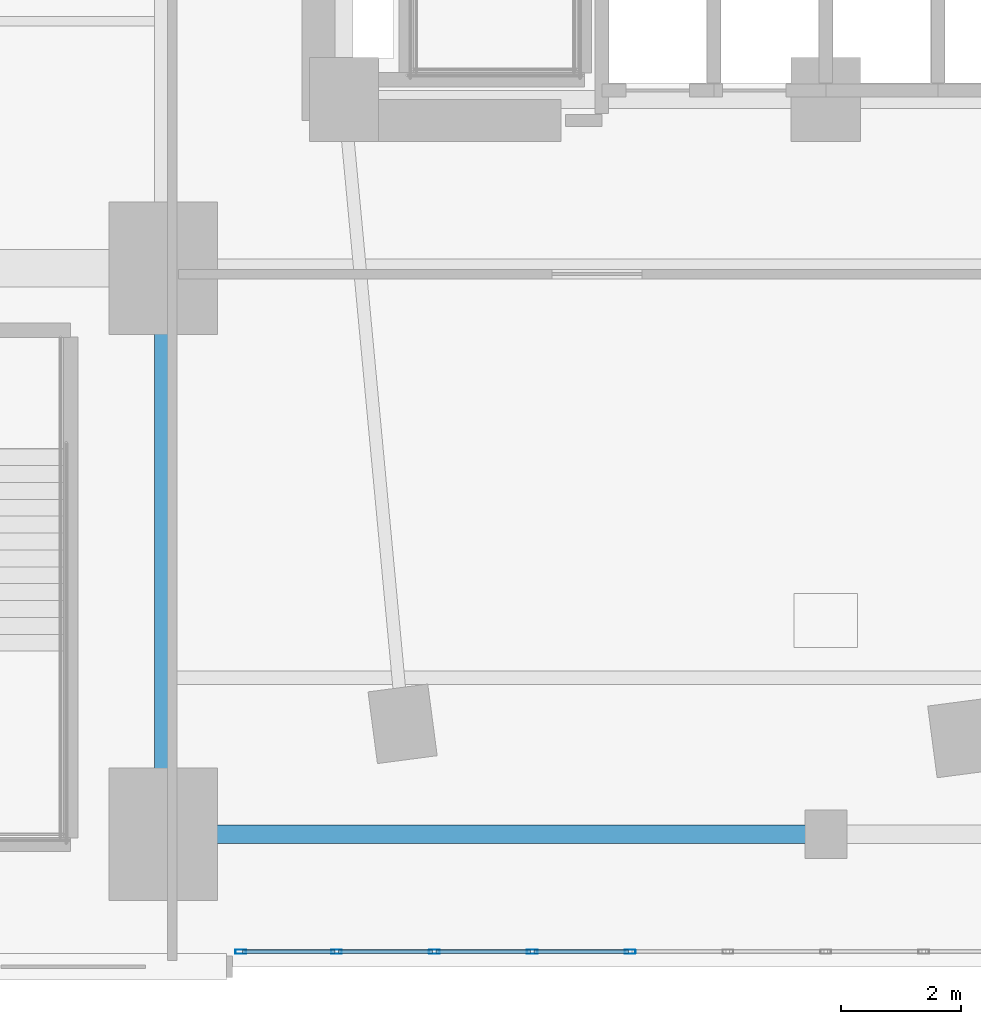
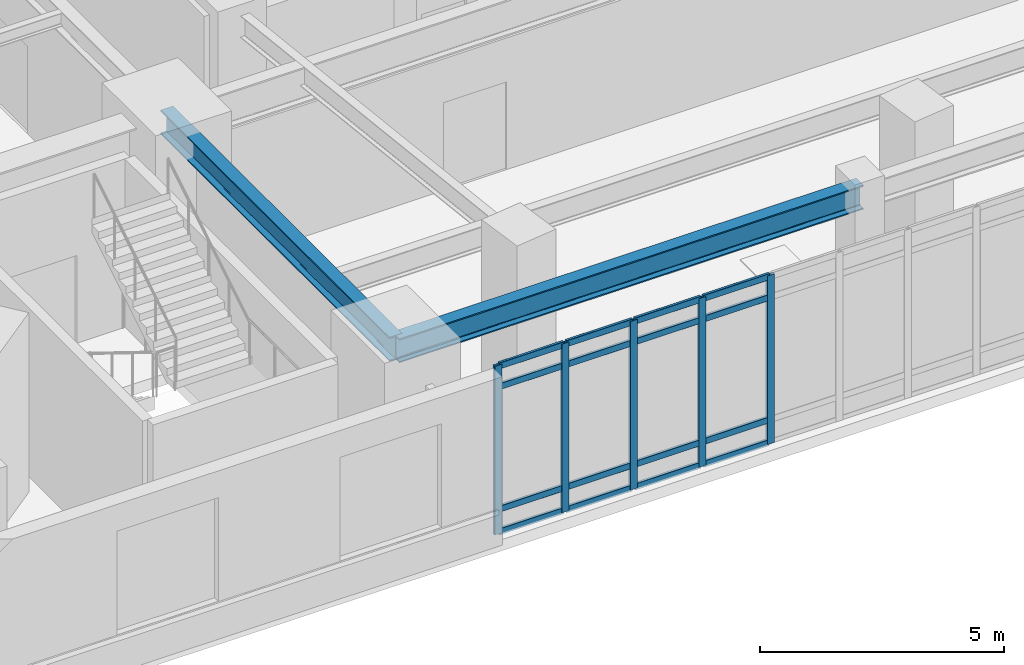
# One storey, part 2 of 19: 21 members, 2 beams, 1 element without a shape of its own.
"""IFC4 building model written with IfcOpenShell, lengths in metres."""

from ifc_helpers import new_model, si_unit, direction, frame, origin, origin_2d, place, context, subcontext, project, spatial, hollow_rectangle, i_section, extrude, material, layer, layer_set, material_profile, profile_set, type_object, element, aggregate, save


model = new_model("IFC4")

# Units and contexts
model_context = context("Model", 3, precision=1e-05, world=origin(), true_north=direction((0.0, 1.0)))
body_context = subcontext(model_context, "Body", "Model", "MODEL_VIEW")
ifc_project = project(units=[si_unit("LENGTHUNIT", "METRE"), si_unit("AREAUNIT", "SQUARE_METRE"), si_unit("VOLUMEUNIT", "CUBIC_METRE"), si_unit("PLANEANGLEUNIT", "RADIAN"), si_unit("MASSUNIT", "GRAM", prefix="KILO")], contexts=[model_context])

# Site, building, storey
site_placement = place(None, origin())
site = spatial("IfcSite", under=ifc_project, at=site_placement, CompositionType="ELEMENT")
building_placement = place(site_placement, origin())
building = spatial("IfcBuilding", under=site, at=building_placement, Name="Ndelora Gate Hotel", CompositionType="ELEMENT")
storey_placement = place(building_placement, frame((0.0, 0.0, 21.5)))
storey = spatial("IfcBuildingStorey", under=building, at=storey_placement, Name="L04", CompositionType="ELEMENT", Elevation=21.5)

# Beams
ifc_material_1 = material(Name="Steel S355", Category="steel")
ifc_material_profile_1 = material_profile(ifc_material_1, i_section(OverallWidth=0.300048828125, OverallDepth=0.60009765625, WebThickness=0.015380859375, FlangeThickness=0.030029296875, FilletRadius=0.027099609375, at=origin_2d()), Name="HEB 600")
ifc_profile_set_1 = profile_set([ifc_material_profile_1], Name="Steel S355")
beam_type = type_object("IfcBeamType", Name="BM-POD-600", PredefinedType="BEAM", material=ifc_profile_set_1)
beam_1_placement = place(storey_placement, frame((-11.0, -18.800048828125, 3.919921875), z_axis=(0.0, 1.0, 0.0), x_axis=(-1.0, 0.0, 0.0)))
element("IfcBeam", 1, at=beam_1_placement, inside=storey, type_object=beam_type, Name="L04 Podium Longitudinal Girder X=-11.0", PredefinedType="BEAM", context=body_context, shape_type="SweptSolid", body=[
    extrude(i_section(OverallWidth=0.300048828125, OverallDepth=0.60009765625, WebThickness=0.015380859375, FlangeThickness=0.030029296875, FilletRadius=0.027099609375, at=origin_2d()), origin(), (0.0, 0.0, 1.0), 9.400146484375),
])
beam_2_placement = place(storey_placement, frame((-11.0, -18.800048828125, 3.919921875), z_axis=(1.0, 0.0, 0.0), x_axis=(0.0, 1.0, 0.0)))
element("IfcBeam", 2, at=beam_2_placement, inside=storey, type_object=beam_type, Name="L04 Podium Transverse Girder Y=-18.8", PredefinedType="BEAM", context=body_context, shape_type="SweptSolid", body=[
    extrude(i_section(OverallWidth=0.300048828125, OverallDepth=0.60009765625, WebThickness=0.015380859375, FlangeThickness=0.030029296875, FilletRadius=0.027099609375, at=origin_2d()), origin(), (0.0, 0.0, 1.0), 11.0),
])

# Curtain wall, members
ifc_material_2 = material(Name="Bronze Anodised Unitised Aluminium and Low-E Glass", Category="aluminium")
ifc_layer = layer(ifc_material_2, 0.219970703125)
ifc_layer_set = layer_set([ifc_layer], Name="Bronze Anodised Unitised Aluminium and Low-E Glass")
curtain_wall_type = type_object("IfcCurtainWallType", Name="CW-SYS-2", PredefinedType="NOTDEFINED", material=ifc_layer_set)
curtain_wall_placement = place(storey_placement, origin())
curtain_wall = element("IfcCurtainWall", 3, at=curtain_wall_placement, inside=storey, type_object=curtain_wall_type, Name="L04 South Podium Foyer Curtain Wall CW2", PredefinedType="NOTDEFINED")
ifc_material_3 = material(Name="Bronze Anodised Aluminium 6063-T6", Category="aluminium")
ifc_material_profile_2 = material_profile(ifc_material_3, hollow_rectangle(XDim=0.070068359375, YDim=0.179931640625, WallThickness=0.0048828125, InnerFilletRadius=0.0048828125, OuterFilletRadius=0.010009765625, at=origin_2d()), Name="ALU 180x70x5")
ifc_profile_set_2 = profile_set([ifc_material_profile_2], Name="Bronze Anodised Aluminium 6063-T6")
member_type_1 = type_object("IfcMemberType", Name="MB-CW-MUL180", PredefinedType="MULLION", material=ifc_profile_set_2)
member_1_placement = place(storey_placement, frame((-9.715087890625, -20.75, -0.00390625), z_axis=(0.0, 0.0, 1.0), x_axis=(0.0, 1.0, 0.0)))
member_1 = element("IfcMember", 4, at=member_1_placement, type_object=member_type_1, Name="CW2 mullion 1", PredefinedType="MULLION", context=body_context, shape_type="SweptSolid", body=[
    extrude(hollow_rectangle(XDim=0.070068359375, YDim=0.179931640625, WallThickness=0.0048828125, InnerFilletRadius=0.0048828125, OuterFilletRadius=0.010009765625, at=origin_2d()), origin(), (0.0, 0.0, 1.0), 4.22802734375),
])
member_2_placement = place(storey_placement, frame((-8.125, -20.75, -0.00390625), z_axis=(0.0, 0.0, 1.0), x_axis=(0.0, 1.0, 0.0)))
member_2 = element("IfcMember", 5, at=member_2_placement, type_object=member_type_1, Name="CW2 mullion 2", PredefinedType="MULLION", context=body_context, shape_type="SweptSolid", body=[
    extrude(hollow_rectangle(XDim=0.070068359375, YDim=0.179931640625, WallThickness=0.0048828125, InnerFilletRadius=0.0048828125, OuterFilletRadius=0.010009765625, at=origin_2d()), origin(), (0.0, 0.0, 1.0), 4.22802734375),
])
member_3_placement = place(storey_placement, frame((-6.5, -20.75, -0.00390625), z_axis=(0.0, 0.0, 1.0), x_axis=(0.0, 1.0, 0.0)))
member_3 = element("IfcMember", 6, at=member_3_placement, type_object=member_type_1, Name="CW2 mullion 3", PredefinedType="MULLION", context=body_context, shape_type="SweptSolid", body=[
    extrude(hollow_rectangle(XDim=0.070068359375, YDim=0.179931640625, WallThickness=0.0048828125, InnerFilletRadius=0.0048828125, OuterFilletRadius=0.010009765625, at=origin_2d()), origin(), (0.0, 0.0, 1.0), 4.22802734375),
])
member_4_placement = place(storey_placement, frame((-4.875, -20.75, -0.00390625), z_axis=(0.0, 0.0, 1.0), x_axis=(0.0, 1.0, 0.0)))
member_4 = element("IfcMember", 7, at=member_4_placement, type_object=member_type_1, Name="CW2 mullion 4", PredefinedType="MULLION", context=body_context, shape_type="SweptSolid", body=[
    extrude(hollow_rectangle(XDim=0.070068359375, YDim=0.179931640625, WallThickness=0.0048828125, InnerFilletRadius=0.0048828125, OuterFilletRadius=0.010009765625, at=origin_2d()), origin(), (0.0, 0.0, 1.0), 4.22802734375),
])
member_5_placement = place(storey_placement, frame((-3.25, -20.75, -0.00390625), z_axis=(0.0, 0.0, 1.0), x_axis=(0.0, 1.0, 0.0)))
member_5 = element("IfcMember", 8, at=member_5_placement, type_object=member_type_1, Name="CW2 mullion 5", PredefinedType="MULLION", context=body_context, shape_type="SweptSolid", body=[
    extrude(hollow_rectangle(XDim=0.070068359375, YDim=0.179931640625, WallThickness=0.0048828125, InnerFilletRadius=0.0048828125, OuterFilletRadius=0.010009765625, at=origin_2d()), origin(), (0.0, 0.0, 1.0), 4.22802734375),
])
ifc_material_profile_3 = material_profile(ifc_material_3, hollow_rectangle(XDim=0.06494140625, YDim=0.159912109375, WallThickness=0.00390625, InnerFilletRadius=0.00390625, OuterFilletRadius=0.008056640625, at=origin_2d()), Name="ALU 160x65x4")
ifc_profile_set_3 = profile_set([ifc_material_profile_3], Name="Bronze Anodised Aluminium 6063-T6")
member_type_2 = type_object("IfcMemberType", Name="MB-CW-TRN150", PredefinedType="USERDEFINED", material=ifc_profile_set_3)
member_6_placement = place(storey_placement, frame((-9.68603515625, -20.75, 0.032470703125), z_axis=(1.0, 0.0, 0.0), x_axis=(0.0, 1.0, 0.0)))
member_6 = element("IfcMember", 9, at=member_6_placement, type_object=member_type_2, Name="CW2 transom 1.1", ObjectType="TRANSOM", PredefinedType="USERDEFINED", context=body_context, shape_type="SweptSolid", body=[
    extrude(hollow_rectangle(XDim=0.06494140625, YDim=0.159912109375, WallThickness=0.00390625, InnerFilletRadius=0.00390625, OuterFilletRadius=0.008056640625, at=origin_2d()), origin(), (0.0, 0.0, 1.0), 1.531982421875),
])
member_7_placement = place(storey_placement, frame((-9.68603515625, -20.75, 0.60009765625), z_axis=(1.0, 0.0, 0.0), x_axis=(0.0, 1.0, 0.0)))
member_7 = element("IfcMember", 10, at=member_7_placement, type_object=member_type_2, Name="CW2 transom 1.2", ObjectType="TRANSOM", PredefinedType="USERDEFINED", context=body_context, shape_type="SweptSolid", body=[
    extrude(hollow_rectangle(XDim=0.06494140625, YDim=0.159912109375, WallThickness=0.00390625, InnerFilletRadius=0.00390625, OuterFilletRadius=0.008056640625, at=origin_2d()), origin(), (0.0, 0.0, 1.0), 1.531982421875),
])
member_8_placement = place(storey_placement, frame((-9.68603515625, -20.75, 3.669921875), z_axis=(1.0, 0.0, 0.0), x_axis=(0.0, 1.0, 0.0)))
member_8 = element("IfcMember", 11, at=member_8_placement, type_object=member_type_2, Name="CW2 transom 1.3", ObjectType="TRANSOM", PredefinedType="USERDEFINED", context=body_context, shape_type="SweptSolid", body=[
    extrude(hollow_rectangle(XDim=0.06494140625, YDim=0.159912109375, WallThickness=0.00390625, InnerFilletRadius=0.00390625, OuterFilletRadius=0.008056640625, at=origin_2d()), origin(), (0.0, 0.0, 1.0), 1.531982421875),
])
member_9_placement = place(storey_placement, frame((-9.68603515625, -20.75, 4.1875), z_axis=(1.0, 0.0, 0.0), x_axis=(0.0, 1.0, 0.0)))
member_9 = element("IfcMember", 12, at=member_9_placement, type_object=member_type_2, Name="CW2 transom 1.4", ObjectType="TRANSOM", PredefinedType="USERDEFINED", context=body_context, shape_type="SweptSolid", body=[
    extrude(hollow_rectangle(XDim=0.06494140625, YDim=0.159912109375, WallThickness=0.00390625, InnerFilletRadius=0.00390625, OuterFilletRadius=0.008056640625, at=origin_2d()), origin(), (0.0, 0.0, 1.0), 1.531982421875),
])
member_10_placement = place(storey_placement, frame((-8.095947265625, -20.75, 0.032470703125), z_axis=(1.0, 0.0, 0.0), x_axis=(0.0, 1.0, 0.0)))
member_10 = element("IfcMember", 13, at=member_10_placement, type_object=member_type_2, Name="CW2 transom 2.1", ObjectType="TRANSOM", PredefinedType="USERDEFINED", context=body_context, shape_type="SweptSolid", body=[
    extrude(hollow_rectangle(XDim=0.06494140625, YDim=0.159912109375, WallThickness=0.00390625, InnerFilletRadius=0.00390625, OuterFilletRadius=0.008056640625, at=origin_2d()), origin(), (0.0, 0.0, 1.0), 1.56689453125),
])
member_11_placement = place(storey_placement, frame((-8.095947265625, -20.75, 0.60009765625), z_axis=(1.0, 0.0, 0.0), x_axis=(0.0, 1.0, 0.0)))
member_11 = element("IfcMember", 14, at=member_11_placement, type_object=member_type_2, Name="CW2 transom 2.2", ObjectType="TRANSOM", PredefinedType="USERDEFINED", context=body_context, shape_type="SweptSolid", body=[
    extrude(hollow_rectangle(XDim=0.06494140625, YDim=0.159912109375, WallThickness=0.00390625, InnerFilletRadius=0.00390625, OuterFilletRadius=0.008056640625, at=origin_2d()), origin(), (0.0, 0.0, 1.0), 1.56689453125),
])
member_12_placement = place(storey_placement, frame((-8.095947265625, -20.75, 3.669921875), z_axis=(1.0, 0.0, 0.0), x_axis=(0.0, 1.0, 0.0)))
member_12 = element("IfcMember", 15, at=member_12_placement, type_object=member_type_2, Name="CW2 transom 2.3", ObjectType="TRANSOM", PredefinedType="USERDEFINED", context=body_context, shape_type="SweptSolid", body=[
    extrude(hollow_rectangle(XDim=0.06494140625, YDim=0.159912109375, WallThickness=0.00390625, InnerFilletRadius=0.00390625, OuterFilletRadius=0.008056640625, at=origin_2d()), origin(), (0.0, 0.0, 1.0), 1.56689453125),
])
member_13_placement = place(storey_placement, frame((-8.095947265625, -20.75, 4.1875), z_axis=(1.0, 0.0, 0.0), x_axis=(0.0, 1.0, 0.0)))
member_13 = element("IfcMember", 16, at=member_13_placement, type_object=member_type_2, Name="CW2 transom 2.4", ObjectType="TRANSOM", PredefinedType="USERDEFINED", context=body_context, shape_type="SweptSolid", body=[
    extrude(hollow_rectangle(XDim=0.06494140625, YDim=0.159912109375, WallThickness=0.00390625, InnerFilletRadius=0.00390625, OuterFilletRadius=0.008056640625, at=origin_2d()), origin(), (0.0, 0.0, 1.0), 1.56689453125),
])
member_14_placement = place(storey_placement, frame((-6.470947265625, -20.75, 0.032470703125), z_axis=(1.0, 0.0, 0.0), x_axis=(0.0, 1.0, 0.0)))
member_14 = element("IfcMember", 17, at=member_14_placement, type_object=member_type_2, Name="CW2 transom 3.1", ObjectType="TRANSOM", PredefinedType="USERDEFINED", context=body_context, shape_type="SweptSolid", body=[
    extrude(hollow_rectangle(XDim=0.06494140625, YDim=0.159912109375, WallThickness=0.00390625, InnerFilletRadius=0.00390625, OuterFilletRadius=0.008056640625, at=origin_2d()), origin(), (0.0, 0.0, 1.0), 1.56689453125),
])
member_15_placement = place(storey_placement, frame((-6.470947265625, -20.75, 0.60009765625), z_axis=(1.0, 0.0, 0.0), x_axis=(0.0, 1.0, 0.0)))
member_15 = element("IfcMember", 18, at=member_15_placement, type_object=member_type_2, Name="CW2 transom 3.2", ObjectType="TRANSOM", PredefinedType="USERDEFINED", context=body_context, shape_type="SweptSolid", body=[
    extrude(hollow_rectangle(XDim=0.06494140625, YDim=0.159912109375, WallThickness=0.00390625, InnerFilletRadius=0.00390625, OuterFilletRadius=0.008056640625, at=origin_2d()), origin(), (0.0, 0.0, 1.0), 1.56689453125),
])
member_16_placement = place(storey_placement, frame((-6.470947265625, -20.75, 3.669921875), z_axis=(1.0, 0.0, 0.0), x_axis=(0.0, 1.0, 0.0)))
member_16 = element("IfcMember", 19, at=member_16_placement, type_object=member_type_2, Name="CW2 transom 3.3", ObjectType="TRANSOM", PredefinedType="USERDEFINED", context=body_context, shape_type="SweptSolid", body=[
    extrude(hollow_rectangle(XDim=0.06494140625, YDim=0.159912109375, WallThickness=0.00390625, InnerFilletRadius=0.00390625, OuterFilletRadius=0.008056640625, at=origin_2d()), origin(), (0.0, 0.0, 1.0), 1.56689453125),
])
member_17_placement = place(storey_placement, frame((-6.470947265625, -20.75, 4.1875), z_axis=(1.0, 0.0, 0.0), x_axis=(0.0, 1.0, 0.0)))
member_17 = element("IfcMember", 20, at=member_17_placement, type_object=member_type_2, Name="CW2 transom 3.4", ObjectType="TRANSOM", PredefinedType="USERDEFINED", context=body_context, shape_type="SweptSolid", body=[
    extrude(hollow_rectangle(XDim=0.06494140625, YDim=0.159912109375, WallThickness=0.00390625, InnerFilletRadius=0.00390625, OuterFilletRadius=0.008056640625, at=origin_2d()), origin(), (0.0, 0.0, 1.0), 1.56689453125),
])
member_18_placement = place(storey_placement, frame((-4.845947265625, -20.75, 0.032470703125), z_axis=(1.0, 0.0, 0.0), x_axis=(0.0, 1.0, 0.0)))
member_18 = element("IfcMember", 21, at=member_18_placement, type_object=member_type_2, Name="CW2 transom 4.1", ObjectType="TRANSOM", PredefinedType="USERDEFINED", context=body_context, shape_type="SweptSolid", body=[
    extrude(hollow_rectangle(XDim=0.06494140625, YDim=0.159912109375, WallThickness=0.00390625, InnerFilletRadius=0.00390625, OuterFilletRadius=0.008056640625, at=origin_2d()), origin(), (0.0, 0.0, 1.0), 1.56689453125),
])
member_19_placement = place(storey_placement, frame((-4.845947265625, -20.75, 0.60009765625), z_axis=(1.0, 0.0, 0.0), x_axis=(0.0, 1.0, 0.0)))
member_19 = element("IfcMember", 22, at=member_19_placement, type_object=member_type_2, Name="CW2 transom 4.2", ObjectType="TRANSOM", PredefinedType="USERDEFINED", context=body_context, shape_type="SweptSolid", body=[
    extrude(hollow_rectangle(XDim=0.06494140625, YDim=0.159912109375, WallThickness=0.00390625, InnerFilletRadius=0.00390625, OuterFilletRadius=0.008056640625, at=origin_2d()), origin(), (0.0, 0.0, 1.0), 1.56689453125),
])
member_20_placement = place(storey_placement, frame((-4.845947265625, -20.75, 3.669921875), z_axis=(1.0, 0.0, 0.0), x_axis=(0.0, 1.0, 0.0)))
member_20 = element("IfcMember", 23, at=member_20_placement, type_object=member_type_2, Name="CW2 transom 4.3", ObjectType="TRANSOM", PredefinedType="USERDEFINED", context=body_context, shape_type="SweptSolid", body=[
    extrude(hollow_rectangle(XDim=0.06494140625, YDim=0.159912109375, WallThickness=0.00390625, InnerFilletRadius=0.00390625, OuterFilletRadius=0.008056640625, at=origin_2d()), origin(), (0.0, 0.0, 1.0), 1.56689453125),
])
member_21_placement = place(storey_placement, frame((-4.845947265625, -20.75, 4.1875), z_axis=(1.0, 0.0, 0.0), x_axis=(0.0, 1.0, 0.0)))
member_21 = element("IfcMember", 24, at=member_21_placement, type_object=member_type_2, Name="CW2 transom 4.4", ObjectType="TRANSOM", PredefinedType="USERDEFINED", context=body_context, shape_type="SweptSolid", body=[
    extrude(hollow_rectangle(XDim=0.06494140625, YDim=0.159912109375, WallThickness=0.00390625, InnerFilletRadius=0.00390625, OuterFilletRadius=0.008056640625, at=origin_2d()), origin(), (0.0, 0.0, 1.0), 1.56689453125),
])
aggregate(curtain_wall, [member_1, member_2, member_3, member_4, member_5, member_6, member_7, member_8, member_9, member_10, member_11, member_12, member_13, member_14, member_15, member_16, member_17, member_18, member_19, member_20, member_21])

save(model, "model.ifc")
